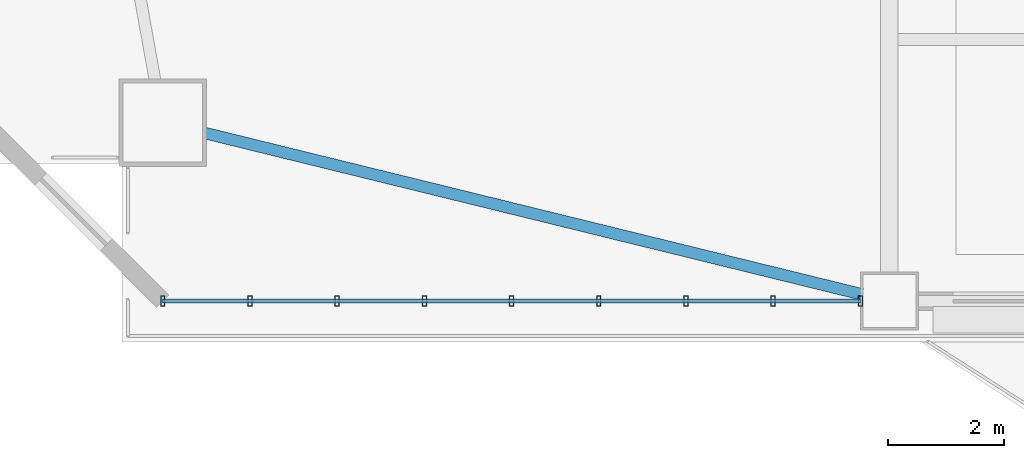
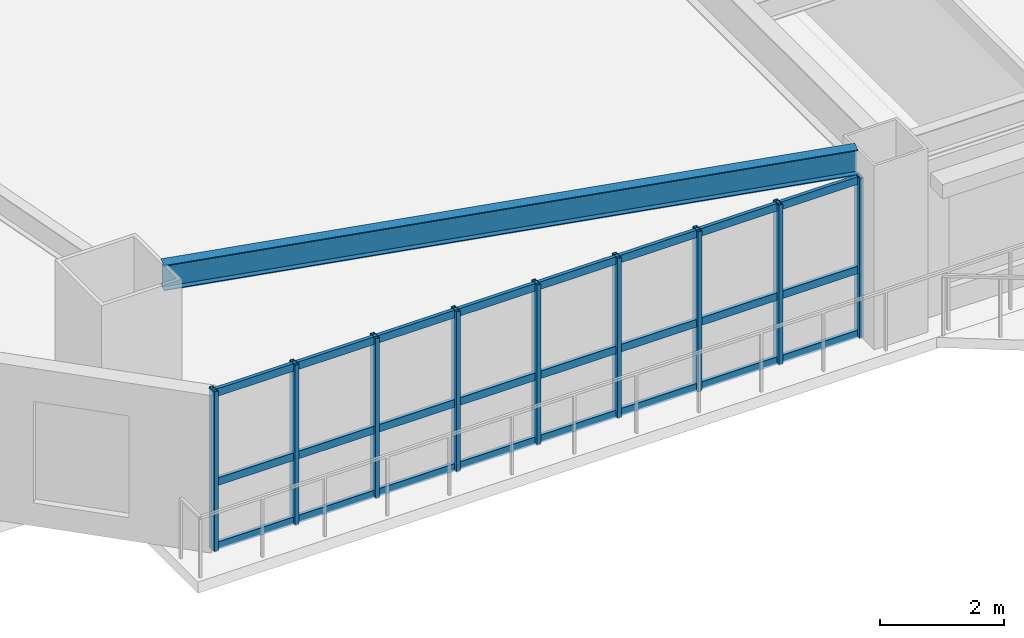
# One storey, part 2 of 16: 12 members, 1 beam, 1 element without a shape of its own.
"""IFC4 building model written with IfcOpenShell, lengths in metres."""

from ifc_helpers import new_model, si_unit, direction, frame, origin, origin_2d, place, context, subcontext, project, spatial, hollow_rectangle, i_section, extrude, source, transform, mapped, material, layer, layer_set, material_profile, profile_set, type_object, element, aggregate, save


model = new_model("IFC4")

# Units and contexts
model_context = context("Model", 3, precision=1e-05, world=origin(), true_north=direction((0.0, 1.0)))
body_context = subcontext(model_context, "Body", "Model", "MODEL_VIEW")
ifc_project = project(units=[si_unit("LENGTHUNIT", "METRE"), si_unit("AREAUNIT", "SQUARE_METRE"), si_unit("VOLUMEUNIT", "CUBIC_METRE"), si_unit("PLANEANGLEUNIT", "RADIAN"), si_unit("MASSUNIT", "GRAM", prefix="KILO")], contexts=[model_context])

# Site, building, storey
site_placement = place(None, origin())
site = spatial("IfcSite", under=ifc_project, at=site_placement, CompositionType="ELEMENT")
building_placement = place(site_placement, origin())
building = spatial("IfcBuilding", under=site, at=building_placement, Name="Giltprow Tower", CompositionType="ELEMENT")
storey_placement = place(building_placement, frame((0.0, 0.0, 91.300048828125)))
storey = spatial("IfcBuildingStorey", under=building, at=storey_placement, Name="L22", CompositionType="ELEMENT", Elevation=91.300048828125)

# Beam
ifc_material_1 = material(Name="Structural steel Q355B", Category="steel")
ifc_material_profile_1 = material_profile(ifc_material_1, i_section(OverallWidth=0.199951171875, OverallDepth=0.5, WebThickness=0.010009765625, FlangeThickness=0.01611328125, at=origin_2d()), Name="HN 500x200x10x16")
ifc_profile_set_1 = profile_set([ifc_material_profile_1], Name="Structural steel Q355B")
beam_type = type_object("IfcBeamType", Name="BM-SPAN-HN500", PredefinedType="SPANDREL", material=ifc_profile_set_1)
shared_shape_1 = source(origin(), body_context, "Body", "SweptSolid", [
    extrude(i_section(OverallWidth=0.199951171875, OverallDepth=0.5, WebThickness=0.010009765625, FlangeThickness=0.01611328125, at=origin_2d()), origin(), (0.0, 0.0, 1.0), 11.656005859375),
])
beam_placement = place(storey_placement, frame((8.05908203125, 8.8310546875, 3.369873046875), z_axis=(0.971161357058, -0.238423192154, 0.0), x_axis=(0.238423192154, 0.971161357058, 0.0)))
element("IfcBeam", 1, at=beam_placement, inside=storey, type_object=beam_type, Name="L22 Perimeter Spandrel Beam MC_SW-S1", PredefinedType="SPANDREL", context=body_context, shape_type="MappedRepresentation", body=[
    mapped(shared_shape_1, transform((0.0, 0.0, 0.0), x_axis=(1.0, 0.0, 0.0), y_axis=(0.0, 1.0, 0.0), z_axis=(0.0, 0.0, 1.0), scale=1.0)),
])

# Curtain wall, members
ifc_material_2 = material(Name="Anodized bronze", Category="metal")
ifc_layer = layer(ifc_material_2, 0.179931640625, Name="Anodized bronze")
ifc_layer_set = layer_set([ifc_layer], Name="Anodized bronze")
curtain_wall_type = type_object("IfcCurtainWallType", Name="CW-OFF-RECESSED", PredefinedType="NOTDEFINED", material=ifc_layer_set)
curtain_wall_placement = place(storey_placement, origin())
curtain_wall = element("IfcCurtainWall", 2, at=curtain_wall_placement, inside=storey, type_object=curtain_wall_type, Name="L22 South Recessed Curtain Wall 1", PredefinedType="NOTDEFINED")
ifc_material_profile_2 = material_profile(ifc_material_2, hollow_rectangle(XDim=0.074951171875, YDim=0.179931640625, WallThickness=0.008056640625, at=origin_2d()), Name="RHS 180x75x8")
ifc_profile_set_2 = profile_set([ifc_material_profile_2], Name="Anodized bronze")
member_type_1 = type_object("IfcMemberType", Name="CW-MULLION-180x75", PredefinedType="MULLION", material=ifc_profile_set_2)
shared_shape_2 = source(origin(), body_context, "Body", "SweptSolid", [
    extrude(hollow_rectangle(XDim=0.074951171875, YDim=0.179931640625, WallThickness=0.008056640625, at=origin_2d()), origin(), (0.0, 0.0, 1.0), 3.155029296875),
])
member_1_placement = place(storey_placement, frame((7.344970703125, 5.93603515625, -0.02001953125), z_axis=(0.0, 0.0, 1.0), x_axis=(1.0, 0.0, 0.0)))
member_1 = element("IfcMember", 3, at=member_1_placement, type_object=member_type_1, Name="L22 South Recessed Curtain Wall 1 Mullion 1", PredefinedType="MULLION", context=body_context, shape_type="MappedRepresentation", body=[
    mapped(shared_shape_2, transform((0.0, 0.0, 0.0), x_axis=(1.0, 0.0, 0.0), y_axis=(0.0, 1.0, 0.0), z_axis=(0.0, 0.0, 1.0), scale=1.0)),
])
member_2_placement = place(storey_placement, frame((8.845947265625, 5.93603515625, -0.02001953125), z_axis=(0.0, 0.0, 1.0), x_axis=(1.0, 0.0, 0.0)))
member_2 = element("IfcMember", 4, at=member_2_placement, type_object=member_type_1, Name="L22 South Recessed Curtain Wall 1 Mullion 2", PredefinedType="MULLION", context=body_context, shape_type="MappedRepresentation", body=[
    mapped(shared_shape_2, transform((0.0, 0.0, 0.0), x_axis=(1.0, 0.0, 0.0), y_axis=(0.0, 1.0, 0.0), z_axis=(0.0, 0.0, 1.0), scale=1.0)),
])
member_3_placement = place(storey_placement, frame((10.345947265625, 5.93603515625, -0.02001953125), z_axis=(0.0, 0.0, 1.0), x_axis=(1.0, 0.0, 0.0)))
member_3 = element("IfcMember", 5, at=member_3_placement, type_object=member_type_1, Name="L22 South Recessed Curtain Wall 1 Mullion 3", PredefinedType="MULLION", context=body_context, shape_type="MappedRepresentation", body=[
    mapped(shared_shape_2, transform((0.0, 0.0, 0.0), x_axis=(1.0, 0.0, 0.0), y_axis=(0.0, 1.0, 0.0), z_axis=(0.0, 0.0, 1.0), scale=1.0)),
])
member_4_placement = place(storey_placement, frame((11.846923828125, 5.93603515625, -0.02001953125), z_axis=(0.0, 0.0, 1.0), x_axis=(1.0, 0.0, 0.0)))
member_4 = element("IfcMember", 6, at=member_4_placement, type_object=member_type_1, Name="L22 South Recessed Curtain Wall 1 Mullion 4", PredefinedType="MULLION", context=body_context, shape_type="MappedRepresentation", body=[
    mapped(shared_shape_2, transform((0.0, 0.0, 0.0), x_axis=(1.0, 0.0, 0.0), y_axis=(0.0, 1.0, 0.0), z_axis=(0.0, 0.0, 1.0), scale=1.0)),
])
member_5_placement = place(storey_placement, frame((13.347900390625, 5.93603515625, -0.02001953125), z_axis=(0.0, 0.0, 1.0), x_axis=(1.0, 0.0, 0.0)))
member_5 = element("IfcMember", 7, at=member_5_placement, type_object=member_type_1, Name="L22 South Recessed Curtain Wall 1 Mullion 5", PredefinedType="MULLION", context=body_context, shape_type="MappedRepresentation", body=[
    mapped(shared_shape_2, transform((0.0, 0.0, 0.0), x_axis=(1.0, 0.0, 0.0), y_axis=(0.0, 1.0, 0.0), z_axis=(0.0, 0.0, 1.0), scale=1.0)),
])
member_6_placement = place(storey_placement, frame((14.847900390625, 5.93603515625, -0.02001953125), z_axis=(0.0, 0.0, 1.0), x_axis=(1.0, 0.0, 0.0)))
member_6 = element("IfcMember", 8, at=member_6_placement, type_object=member_type_1, Name="L22 South Recessed Curtain Wall 1 Mullion 6", PredefinedType="MULLION", context=body_context, shape_type="MappedRepresentation", body=[
    mapped(shared_shape_2, transform((0.0, 0.0, 0.0), x_axis=(1.0, 0.0, 0.0), y_axis=(0.0, 1.0, 0.0), z_axis=(0.0, 0.0, 1.0), scale=1.0)),
])
member_7_placement = place(storey_placement, frame((16.34912109375, 5.93603515625, -0.02001953125), z_axis=(0.0, 0.0, 1.0), x_axis=(1.0, 0.0, 0.0)))
member_7 = element("IfcMember", 9, at=member_7_placement, type_object=member_type_1, Name="L22 South Recessed Curtain Wall 1 Mullion 7", PredefinedType="MULLION", context=body_context, shape_type="MappedRepresentation", body=[
    mapped(shared_shape_2, transform((0.0, 0.0, 0.0), x_axis=(1.0, 0.0, 0.0), y_axis=(0.0, 1.0, 0.0), z_axis=(0.0, 0.0, 1.0), scale=1.0)),
])
member_8_placement = place(storey_placement, frame((17.84912109375, 5.93603515625, -0.02001953125), z_axis=(0.0, 0.0, 1.0), x_axis=(1.0, 0.0, 0.0)))
member_8 = element("IfcMember", 10, at=member_8_placement, type_object=member_type_1, Name="L22 South Recessed Curtain Wall 1 Mullion 8", PredefinedType="MULLION", context=body_context, shape_type="MappedRepresentation", body=[
    mapped(shared_shape_2, transform((0.0, 0.0, 0.0), x_axis=(1.0, 0.0, 0.0), y_axis=(0.0, 1.0, 0.0), z_axis=(0.0, 0.0, 1.0), scale=1.0)),
])
member_9_placement = place(storey_placement, frame((19.35009765625, 5.93603515625, -0.02001953125), z_axis=(0.0, 0.0, 1.0), x_axis=(1.0, 0.0, 0.0)))
member_9 = element("IfcMember", 11, at=member_9_placement, type_object=member_type_1, Name="L22 South Recessed Curtain Wall 1 Mullion 9", PredefinedType="MULLION", context=body_context, shape_type="MappedRepresentation", body=[
    mapped(shared_shape_2, transform((0.0, 0.0, 0.0), x_axis=(1.0, 0.0, 0.0), y_axis=(0.0, 1.0, 0.0), z_axis=(0.0, 0.0, 1.0), scale=1.0)),
])
ifc_material_profile_3 = material_profile(ifc_material_2, hollow_rectangle(XDim=0.06494140625, YDim=0.14990234375, WallThickness=0.006103515625, at=origin_2d()), Name="RHS 150x65x6")
ifc_profile_set_3 = profile_set([ifc_material_profile_3], Name="Anodized bronze")
member_type_2 = type_object("IfcMemberType", Name="CW-TRANSOM-150x65", PredefinedType="USERDEFINED", material=ifc_profile_set_3)
shared_shape_3 = source(origin(), body_context, "Body", "SweptSolid", [
    extrude(hollow_rectangle(XDim=0.06494140625, YDim=0.14990234375, WallThickness=0.006103515625, at=origin_2d()), origin(), (0.0, 0.0, 1.0), 12.005126953125),
])
member_10_placement = place(storey_placement, frame((7.344970703125, 5.93603515625, 0.0400390625), z_axis=(1.0, 0.0, 0.0), x_axis=(0.0, 1.0, 0.0)))
member_10 = element("IfcMember", 12, at=member_10_placement, type_object=member_type_2, Name="L22 South Recessed Curtain Wall 1 Transom 1", ObjectType="TRANSOM", PredefinedType="USERDEFINED", context=body_context, shape_type="MappedRepresentation", body=[
    mapped(shared_shape_3, transform((0.0, 0.0, 0.0), x_axis=(1.0, 0.0, 0.0), y_axis=(0.0, 1.0, 0.0), z_axis=(0.0, 0.0, 1.0), scale=1.0)),
])
member_11_placement = place(storey_placement, frame((7.344970703125, 5.93603515625, 1.302001953125), z_axis=(1.0, 0.0, 0.0), x_axis=(0.0, 1.0, 0.0)))
member_11 = element("IfcMember", 13, at=member_11_placement, type_object=member_type_2, Name="L22 South Recessed Curtain Wall 1 Transom 2", ObjectType="TRANSOM", PredefinedType="USERDEFINED", context=body_context, shape_type="MappedRepresentation", body=[
    mapped(shared_shape_3, transform((0.0, 0.0, 0.0), x_axis=(1.0, 0.0, 0.0), y_axis=(0.0, 1.0, 0.0), z_axis=(0.0, 0.0, 1.0), scale=1.0)),
])
member_12_placement = place(storey_placement, frame((7.344970703125, 5.93603515625, 3.06005859375), z_axis=(1.0, 0.0, 0.0), x_axis=(0.0, 1.0, 0.0)))
member_12 = element("IfcMember", 14, at=member_12_placement, type_object=member_type_2, Name="L22 South Recessed Curtain Wall 1 Transom 3", ObjectType="TRANSOM", PredefinedType="USERDEFINED", context=body_context, shape_type="MappedRepresentation", body=[
    mapped(shared_shape_3, transform((0.0, 0.0, 0.0), x_axis=(1.0, 0.0, 0.0), y_axis=(0.0, 1.0, 0.0), z_axis=(0.0, 0.0, 1.0), scale=1.0)),
])
aggregate(curtain_wall, [member_1, member_2, member_3, member_4, member_5, member_6, member_7, member_8, member_9, member_10, member_11, member_12])

save(model, "model.ifc")
